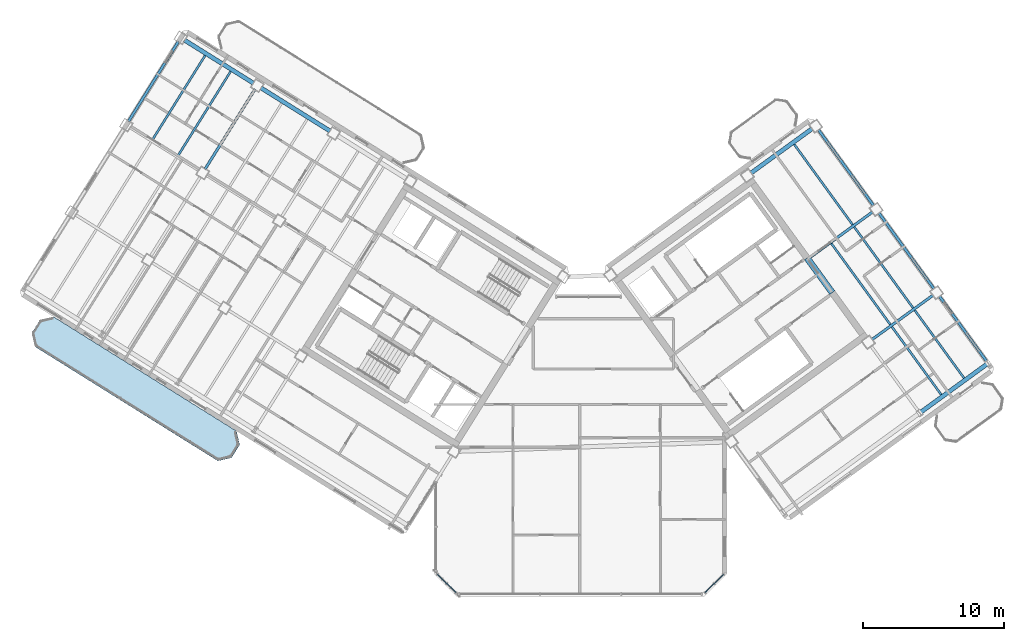
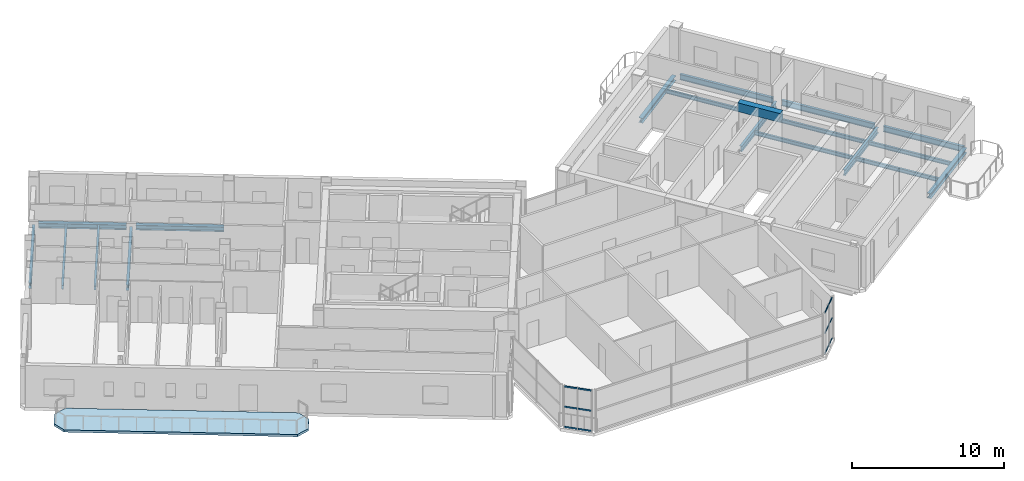
# One storey, part 13 of 25: 19 beams, 12 members, 1 slab, 2 elements without a shape of their own.
"""IFC4 building model written with IfcOpenShell, lengths in metres."""

from ifc_helpers import new_model, si_unit, direction, frame, origin, origin_2d, place, context, subcontext, project, spatial, polyline, rectangle, hollow_rectangle, i_section, outline, extrude, source, transform, mapped, material, layer, layer_set, material_profile, profile_set, type_object, element, aggregate, save


model = new_model("IFC4")

# Units and contexts
model_context = context("Model", 3, precision=1e-05, world=origin(), true_north=direction((0.0, 1.0)))
body_context = subcontext(model_context, "Body", "Model", "MODEL_VIEW")
ifc_project = project(units=[si_unit("LENGTHUNIT", "METRE"), si_unit("AREAUNIT", "SQUARE_METRE"), si_unit("VOLUMEUNIT", "CUBIC_METRE"), si_unit("PLANEANGLEUNIT", "RADIAN"), si_unit("MASSUNIT", "GRAM", prefix="KILO")], contexts=[model_context])

# Site, building, storey
site_placement = place(None, origin())
site = spatial("IfcSite", under=ifc_project, at=site_placement, CompositionType="ELEMENT")
building_placement = place(site_placement, origin())
building = spatial("IfcBuilding", under=site, at=building_placement, Name="Tlacorven Tower", CompositionType="ELEMENT")
storey_placement = place(building_placement, frame((0.0, 0.0, 259.199951171875)))
storey = spatial("IfcBuildingStorey", under=building, at=storey_placement, Name="L65", CompositionType="ELEMENT", Elevation=259.199951171875)

# Beams
ifc_material_1 = material(Name="Concrete C60/75", Category="concrete")
ifc_material_profile_1 = material_profile(ifc_material_1, rectangle(XDim=0.449951171875, YDim=0.699951171875, at=origin_2d()), Name="RC 450X700")
ifc_profile_set_1 = profile_set([ifc_material_profile_1], Name="Concrete C60/75")
beam_type_1 = type_object("IfcBeamType", Name="BM-LNT-700", PredefinedType="LINTEL", material=ifc_profile_set_1)
shared_shape_1 = source(origin(), body_context, "Body", "SweptSolid", [
    extrude(rectangle(XDim=0.449951171875, YDim=0.699951171875, at=origin_2d()), origin(), (0.0, 0.0, 1.0), 3.050048828125),
])
beam_1_placement = place(storey_placement, frame((59.856689453125, 23.345947265625, 3.0), z_axis=(-0.587776590479, 0.80902328748, 0.0), x_axis=(-0.80902328748, -0.587776590479, 0.0)))
element("IfcBeam", 1, at=beam_1_placement, inside=storey, type_object=beam_type_1, Name="L65 E core coupling lintel beam E2", PredefinedType="LINTEL", context=body_context, shape_type="MappedRepresentation", body=[
    mapped(shared_shape_1, transform((0.0, 0.0, 0.0), scale=1.0)),
])
ifc_material_2 = material(Name="Steel S355J2", Category="steel")
ifc_material_profile_2 = material_profile(ifc_material_2, i_section(OverallWidth=0.300048828125, OverallDepth=0.389892578125, WebThickness=0.010986328125, FlangeThickness=0.01904296875, at=origin_2d()), Name="HEA 400")
ifc_profile_set_2 = profile_set([ifc_material_profile_2], Name="Steel S355J2")
beam_type_2 = type_object("IfcBeamType", Name="BM-SPN-400", PredefinedType="SPANDREL", material=ifc_profile_set_2)
shared_shape_2 = source(origin(), body_context, "Body", "SweptSolid", [
    extrude(i_section(OverallWidth=0.300048828125, OverallDepth=0.389892578125, WebThickness=0.010986328125, FlangeThickness=0.01904296875, at=origin_2d()), origin(), (0.0, 0.0, 1.0), 5.800048828125),
])
for number, where, z_axis, x_axis, name in (
    (2, (24.24609375, 34.8017578125, -0.445068359375), (-0.848052689693, 0.529911912967, 0.0), (-0.529911912967, -0.848052689693, 0.0), "L65 beam BM-L65-WL1-4"),
    (3, (18.818603515625, 38.193359375, -0.445068359375), (-0.848052689693, 0.529911912967, 0.0), (-0.529911912967, -0.848052689693, 0.0), "L65 beam BM-L65-WL1-5"),
    (4, (66.138671875, 14.86962890625, -0.445068359375), (0.809019944521, 0.587781191743, 0.0), (-0.587781191743, 0.809019944521, 0.0), "L65 beam BM-L65-EL1-3"),
):
    element("IfcBeam", number, at=place(storey_placement, frame(where, z_axis=z_axis, x_axis=x_axis)), inside=storey, type_object=beam_type_2, Name=name, PredefinedType="SPANDREL", context=body_context, shape_type="MappedRepresentation", body=[
        mapped(shared_shape_2, transform((0.0, 0.0, 0.0), scale=1.0)),
    ])
ifc_material_profile_3 = material_profile(ifc_material_2, i_section(OverallWidth=0.14990234375, OverallDepth=0.300048828125, WebThickness=0.007080078125, FlangeThickness=0.0107421875, at=origin_2d()), Name="IPE 300")
ifc_profile_set_3 = profile_set([ifc_material_profile_3], Name="Steel S355J2")
beam_type_3 = type_object("IfcBeamType", Name="BM-JST-300", PredefinedType="JOIST", material=ifc_profile_set_3)
shared_shape_3 = source(origin(), body_context, "Body", "SweptSolid", [
    extrude(i_section(OverallWidth=0.14990234375, OverallDepth=0.300048828125, WebThickness=0.007080078125, FlangeThickness=0.0107421875, at=origin_2d()), origin(), (0.0, 0.0, 1.0), 7.10009765625),
])
for number, where, z_axis, x_axis, name in (
    (5, (63.972900390625, 21.083251953125, -0.39990234375), (-0.587783168305, 0.809018508476, 0.0), (-0.809018508476, -0.587783168305, 0.0), "L65 beam BM-L65-EJ3-2-1"),
    (6, (65.5908203125, 22.2587890625, -0.39990234375), (-0.587760662035, 0.809034859672, 0.0), (-0.809034859672, -0.587760662035, 0.0), "L65 beam BM-L65-EJ3-2-2"),
):
    element("IfcBeam", number, at=place(storey_placement, frame(where, z_axis=z_axis, x_axis=x_axis)), inside=storey, type_object=beam_type_3, Name=name, PredefinedType="JOIST", context=body_context, shape_type="MappedRepresentation", body=[
        mapped(shared_shape_3, transform((0.0, 0.0, 0.0), scale=1.0)),
    ])
shared_shape_4 = source(origin(), body_context, "Body", "SweptSolid", [
    extrude(i_section(OverallWidth=0.14990234375, OverallDepth=0.300048828125, WebThickness=0.007080078125, FlangeThickness=0.0107421875, at=origin_2d()), origin(), (0.0, 0.0, 1.0), 7.044921875),
])
for number, where, z_axis, x_axis, name in (
    (7, (17.181640625, 39.033447265625, -0.39990234375), (-0.529899256491, -0.848060598053, 0.0), (0.848060598053, -0.529899256491, 0.0), "L65 beam BM-L65-WJ5-1-1"),
    (8, (15.372314453125, 40.163818359375, -0.39990234375), (-0.52991483005, -0.848050866925, 0.0), (0.848050866925, -0.52991483005, 0.0), "L65 beam BM-L65-WJ5-1-2"),
    (9, (61.300048828125, 28.164794921875, -0.39990234375), (-0.587782183052, 0.8090192243, 0.0), (-0.8090192243, -0.587782183052, 0.0), "L65 beam BM-L65-EJ3-3-2"),
):
    element("IfcBeam", number, at=place(storey_placement, frame(where, z_axis=z_axis, x_axis=x_axis)), inside=storey, type_object=beam_type_3, Name=name, PredefinedType="JOIST", context=body_context, shape_type="MappedRepresentation", body=[
        mapped(shared_shape_4, transform((0.0, 0.0, 0.0), scale=1.0)),
    ])
shared_shape_5 = source(origin(), body_context, "Body", "SweptSolid", [
    extrude(i_section(OverallWidth=0.14990234375, OverallDepth=0.300048828125, WebThickness=0.007080078125, FlangeThickness=0.0107421875, at=origin_2d()), origin(), (0.0, 0.0, 1.0), 5.945068359375),
])
for number, where, z_axis, x_axis, name in (
    (10, (67.584716796875, 16.11181640625, -0.39990234375), (-0.587788268014, 0.809014803317, 0.0), (-0.809014803317, -0.587788268014, 0.0), "L65 beam BM-L65-EJ3-1-1"),
    (11, (69.202880859375, 17.287353515625, -0.39990234375), (-0.587768740048, 0.809028990965, 0.0), (-0.809028990965, -0.587768740048, 0.0), "L65 beam BM-L65-EJ3-1-2"),
):
    element("IfcBeam", number, at=place(storey_placement, frame(where, z_axis=z_axis, x_axis=x_axis)), inside=storey, type_object=beam_type_3, Name=name, PredefinedType="JOIST", context=body_context, shape_type="MappedRepresentation", body=[
        mapped(shared_shape_5, transform((0.0, 0.0, 0.0), scale=1.0)),
    ])
ifc_material_profile_4 = material_profile(ifc_material_2, i_section(OverallWidth=0.18994140625, OverallDepth=0.449951171875, WebThickness=0.009521484375, FlangeThickness=0.0146484375, at=origin_2d()), Name="IPE 450")
ifc_profile_set_4 = profile_set([ifc_material_profile_4], Name="Steel S355J2")
beam_type_4 = type_object("IfcBeamType", Name="BM-TWR-450", PredefinedType="BEAM", material=ifc_profile_set_4)
shared_shape_6 = source(origin(), body_context, "Body", "SweptSolid", [
    extrude(i_section(OverallWidth=0.18994140625, OverallDepth=0.449951171875, WebThickness=0.009521484375, FlangeThickness=0.0146484375, at=origin_2d()), origin(), (0.0, 0.0, 1.0), 5.800048828125),
])
beam_2_placement = place(storey_placement, frame((70.853271484375, 18.41845703125, -0.474853515625), z_axis=(-0.587781191743, 0.809019944521, 0.0), x_axis=(-0.809019944521, -0.587781191743, 0.0)))
element("IfcBeam", 12, at=beam_2_placement, inside=storey, type_object=beam_type_4, Name="L65 beam BM-L65-ET4-1", PredefinedType="BEAM", context=body_context, shape_type="MappedRepresentation", body=[
    mapped(shared_shape_6, transform((0.0, 0.0, 0.0), scale=1.0)),
])
shared_shape_7 = source(origin(), body_context, "Body", "SweptSolid", [
    extrude(i_section(OverallWidth=0.18994140625, OverallDepth=0.449951171875, WebThickness=0.009521484375, FlangeThickness=0.0146484375, at=origin_2d()), origin(), (0.0, 0.0, 1.0), 6.699951171875),
])
for number, where, z_axis, x_axis, name in (
    (13, (13.486328125, 41.17138671875, -0.474853515625), (-0.529903948186, -0.848057666493, 0.0), (0.848057666493, -0.529903948186, 0.0), "L65 beam BM-L65-WT6-1"),
    (14, (67.09130859375, 23.59619140625, -0.474853515625), (-0.587768623827, 0.809029075401, 0.0), (-0.809029075401, -0.587768623827, 0.0), "L65 beam BM-L65-ET4-2"),
    (15, (62.800537109375, 29.501953125, -0.474853515625), (-0.587792473715, 0.809011747655, 0.0), (-0.809011747655, -0.587792473715, 0.0), "L65 beam BM-L65-ET4-3"),
):
    element("IfcBeam", number, at=place(storey_placement, frame(where, z_axis=z_axis, x_axis=x_axis)), inside=storey, type_object=beam_type_4, Name=name, PredefinedType="BEAM", context=body_context, shape_type="MappedRepresentation", body=[
        mapped(shared_shape_7, transform((0.0, 0.0, 0.0), scale=1.0)),
    ])
shared_shape_8 = source(origin(), body_context, "Body", "SweptSolid", [
    extrude(i_section(OverallWidth=0.18994140625, OverallDepth=0.449951171875, WebThickness=0.009521484375, FlangeThickness=0.0146484375, at=origin_2d()), origin(), (0.0, 0.0, 1.0), 6.7001953125),
])
beam_3_placement = place(storey_placement, frame((18.9140625, 37.780029296875, -0.474853515625), z_axis=(-0.52991377951, -0.848051523367, 0.0), x_axis=(0.848051523367, -0.52991377951, 0.0)))
element("IfcBeam", 16, at=beam_3_placement, inside=storey, type_object=beam_type_4, Name="L65 beam BM-L65-WT5-1", PredefinedType="BEAM", context=body_context, shape_type="MappedRepresentation", body=[
    mapped(shared_shape_8, transform((0.0, 0.0, 0.0), scale=1.0)),
])
shared_shape_9 = source(origin(), body_context, "Body", "SweptSolid", [
    extrude(i_section(OverallWidth=0.18994140625, OverallDepth=0.449951171875, WebThickness=0.009521484375, FlangeThickness=0.0146484375, at=origin_2d()), origin(), (0.0, 0.0, 1.0), 5.39990234375),
])
beam_4_placement = place(storey_placement, frame((62.65625, 20.003173828125, -0.474853515625), z_axis=(0.80901166244, 0.587792591002, 0.0), x_axis=(-0.587792591002, 0.80901166244, 0.0)))
element("IfcBeam", 17, at=beam_4_placement, inside=storey, type_object=beam_type_4, Name="L65 beam BM-L65-EL2-3", PredefinedType="BEAM", context=body_context, shape_type="MappedRepresentation", body=[
    mapped(shared_shape_9, transform((0.0, 0.0, 0.0), scale=1.0)),
])
shared_shape_10 = source(origin(), body_context, "Body", "SweptSolid", [
    extrude(i_section(OverallWidth=0.18994140625, OverallDepth=0.449951171875, WebThickness=0.009521484375, FlangeThickness=0.0146484375, at=origin_2d()), origin(), (0.0, 0.0, 1.0), 5.66015625),
])
beam_5_placement = place(storey_placement, frame((58.155029296875, 25.756103515625, -0.474853515625), z_axis=(0.809017643667, 0.587784358618, 0.0), x_axis=(-0.587784358618, 0.809017643667, 0.0)))
element("IfcBeam", 18, at=beam_5_placement, inside=storey, type_object=beam_type_4, Name="L65 beam BM-L65-EL3-3", PredefinedType="BEAM", context=body_context, shape_type="MappedRepresentation", body=[
    mapped(shared_shape_10, transform((0.0, 0.0, 0.0), scale=1.0)),
])
shared_shape_11 = source(origin(), body_context, "Body", "SweptSolid", [
    extrude(i_section(OverallWidth=0.300048828125, OverallDepth=0.389892578125, WebThickness=0.010986328125, FlangeThickness=0.01904296875, at=origin_2d()), origin(), (0.0, 0.0, 1.0), 5.39990234375),
])
beam_6_placement = place(storey_placement, frame((54.07470703125, 31.814697265625, -0.445068359375), z_axis=(0.80901166244, 0.587792591002, 0.0), x_axis=(-0.587792591002, 0.80901166244, 0.0)))
element("IfcBeam", 19, at=beam_6_placement, inside=storey, type_object=beam_type_2, Name="L65 beam BM-L65-EL4-3", PredefinedType="SPANDREL", context=body_context, shape_type="MappedRepresentation", body=[
    mapped(shared_shape_11, transform((0.0, 0.0, 0.0), scale=1.0)),
])

# Curtain wall, members
ifc_material_3 = material(Name="Dark solar low-E double glazing in aluminium frame", Category="aluminium")
curtain_wall_type = type_object("IfcCurtainWallType", Name="CW-TWR-HIGH", PredefinedType="USERDEFINED", material=ifc_material_3)
curtain_wall_1_placement = place(storey_placement, origin())
curtain_wall_1 = element("IfcCurtainWall", 20, at=curtain_wall_1_placement, inside=storey, type_object=curtain_wall_type, Name="L65 CW-TWR-HIGH Curtain Wall 302", ObjectType="UNITISED CURTAIN WALL", PredefinedType="USERDEFINED")
ifc_material_4 = material(Name="Aluminium 6063-T6 anodised", Category="aluminium")
ifc_material_profile_5 = material_profile(ifc_material_4, hollow_rectangle(XDim=0.054931640625, YDim=0.1201171875, WallThickness=0.00341796875, at=origin_2d()), Name="ALU TRANSOM 55X120")
ifc_profile_set_5 = profile_set([ifc_material_profile_5], Name="Aluminium 6063-T6 anodised")
member_type = type_object("IfcMemberType", Name="CWT-03", PredefinedType="USERDEFINED", material=ifc_profile_set_5)
shared_shape_12 = source(origin(), body_context, "Body", "SweptSolid", [
    extrude(hollow_rectangle(XDim=0.054931640625, YDim=0.1201171875, WallThickness=0.00341796875, at=origin_2d()), origin(), (0.0, 0.0, 1.0), 0.899169921875),
])
member_1_placement = place(storey_placement, frame((52.13525390625, 3.361572265625, 0.06005859375), z_axis=(-0.707106781187, -0.707106781187, 0.0), x_axis=(0.707106781187, -0.707106781187, 0.0)))
member_1 = element("IfcMember", 21, at=member_1_placement, type_object=member_type, Name="CW-L65-302 Transom 1", ObjectType="TRANSOM", PredefinedType="USERDEFINED", context=body_context, shape_type="MappedRepresentation", body=[
    mapped(shared_shape_12, transform((0.0, 0.0, 0.0), scale=1.0)),
])
member_2_placement = place(storey_placement, frame((52.13525390625, 3.361572265625, 1.675048828125), z_axis=(-0.707106781187, -0.707106781187, 0.0), x_axis=(0.707106781187, -0.707106781187, 0.0)))
member_2 = element("IfcMember", 22, at=member_2_placement, type_object=member_type, Name="CW-L65-302 Transom 2", ObjectType="TRANSOM", PredefinedType="USERDEFINED", context=body_context, shape_type="MappedRepresentation", body=[
    mapped(shared_shape_12, transform((0.0, 0.0, 0.0), scale=1.0)),
])
member_3_placement = place(storey_placement, frame((52.13525390625, 3.361572265625, 3.2900390625), z_axis=(-0.707106781187, -0.707106781187, 0.0), x_axis=(0.707106781187, -0.707106781187, 0.0)))
member_3 = element("IfcMember", 23, at=member_3_placement, type_object=member_type, Name="CW-L65-302 Transom 3", ObjectType="TRANSOM", PredefinedType="USERDEFINED", context=body_context, shape_type="MappedRepresentation", body=[
    mapped(shared_shape_12, transform((0.0, 0.0, 0.0), scale=1.0)),
])
member_4_placement = place(storey_placement, frame((51.47412109375, 2.700439453125, 0.06005859375), z_axis=(-0.707106781187, -0.707106781187, 0.0), x_axis=(0.707106781187, -0.707106781187, 0.0)))
member_4 = element("IfcMember", 24, at=member_4_placement, type_object=member_type, Name="CW-L65-302 Transom 4", ObjectType="TRANSOM", PredefinedType="USERDEFINED", context=body_context, shape_type="MappedRepresentation", body=[
    mapped(shared_shape_12, transform((0.0, 0.0, 0.0), scale=1.0)),
])
member_5_placement = place(storey_placement, frame((51.47412109375, 2.700439453125, 1.675048828125), z_axis=(-0.707106781187, -0.707106781187, 0.0), x_axis=(0.707106781187, -0.707106781187, 0.0)))
member_5 = element("IfcMember", 25, at=member_5_placement, type_object=member_type, Name="CW-L65-302 Transom 5", ObjectType="TRANSOM", PredefinedType="USERDEFINED", context=body_context, shape_type="MappedRepresentation", body=[
    mapped(shared_shape_12, transform((0.0, 0.0, 0.0), scale=1.0)),
])
member_6_placement = place(storey_placement, frame((51.47412109375, 2.700439453125, 3.2900390625), z_axis=(-0.707106781187, -0.707106781187, 0.0), x_axis=(0.707106781187, -0.707106781187, 0.0)))
member_6 = element("IfcMember", 26, at=member_6_placement, type_object=member_type, Name="CW-L65-302 Transom 6", ObjectType="TRANSOM", PredefinedType="USERDEFINED", context=body_context, shape_type="MappedRepresentation", body=[
    mapped(shared_shape_12, transform((0.0, 0.0, 0.0), scale=1.0)),
])
aggregate(curtain_wall_1, [member_1, member_2, member_3, member_4, member_5, member_6])

curtain_wall_2_placement = place(storey_placement, origin())
curtain_wall_2 = element("IfcCurtainWall", 27, at=curtain_wall_2_placement, inside=storey, type_object=curtain_wall_type, Name="L65 CW-TWR-HIGH Curtain Wall 304", ObjectType="UNITISED CURTAIN WALL", PredefinedType="USERDEFINED")
member_7_placement = place(storey_placement, frame((33.16162109375, 2.064697265625, 0.06005859375), z_axis=(-0.707106781187, 0.707106781187, 0.0), x_axis=(-0.707106781187, -0.707106781187, 0.0)))
member_7 = element("IfcMember", 28, at=member_7_placement, type_object=member_type, Name="CW-L65-304 Transom 1", ObjectType="TRANSOM", PredefinedType="USERDEFINED", context=body_context, shape_type="MappedRepresentation", body=[
    mapped(shared_shape_12, transform((0.0, 0.0, 0.0), scale=1.0)),
])
member_8_placement = place(storey_placement, frame((33.16162109375, 2.064697265625, 1.675048828125), z_axis=(-0.707106781187, 0.707106781187, 0.0), x_axis=(-0.707106781187, -0.707106781187, 0.0)))
member_8 = element("IfcMember", 29, at=member_8_placement, type_object=member_type, Name="CW-L65-304 Transom 2", ObjectType="TRANSOM", PredefinedType="USERDEFINED", context=body_context, shape_type="MappedRepresentation", body=[
    mapped(shared_shape_12, transform((0.0, 0.0, 0.0), scale=1.0)),
])
member_9_placement = place(storey_placement, frame((33.16162109375, 2.064697265625, 3.2900390625), z_axis=(-0.707106781187, 0.707106781187, 0.0), x_axis=(-0.707106781187, -0.707106781187, 0.0)))
member_9 = element("IfcMember", 30, at=member_9_placement, type_object=member_type, Name="CW-L65-304 Transom 3", ObjectType="TRANSOM", PredefinedType="USERDEFINED", context=body_context, shape_type="MappedRepresentation", body=[
    mapped(shared_shape_12, transform((0.0, 0.0, 0.0), scale=1.0)),
])
member_10_placement = place(storey_placement, frame((32.50048828125, 2.725830078125, 0.06005859375), z_axis=(-0.707106781187, 0.707106781187, 0.0), x_axis=(-0.707106781187, -0.707106781187, 0.0)))
member_10 = element("IfcMember", 31, at=member_10_placement, type_object=member_type, Name="CW-L65-304 Transom 4", ObjectType="TRANSOM", PredefinedType="USERDEFINED", context=body_context, shape_type="MappedRepresentation", body=[
    mapped(shared_shape_12, transform((0.0, 0.0, 0.0), scale=1.0)),
])
member_11_placement = place(storey_placement, frame((32.50048828125, 2.725830078125, 1.675048828125), z_axis=(-0.707106781187, 0.707106781187, 0.0), x_axis=(-0.707106781187, -0.707106781187, 0.0)))
member_11 = element("IfcMember", 32, at=member_11_placement, type_object=member_type, Name="CW-L65-304 Transom 5", ObjectType="TRANSOM", PredefinedType="USERDEFINED", context=body_context, shape_type="MappedRepresentation", body=[
    mapped(shared_shape_12, transform((0.0, 0.0, 0.0), scale=1.0)),
])
member_12_placement = place(storey_placement, frame((32.50048828125, 2.725830078125, 3.2900390625), z_axis=(-0.707106781187, 0.707106781187, 0.0), x_axis=(-0.707106781187, -0.707106781187, 0.0)))
member_12 = element("IfcMember", 33, at=member_12_placement, type_object=member_type, Name="CW-L65-304 Transom 6", ObjectType="TRANSOM", PredefinedType="USERDEFINED", context=body_context, shape_type="MappedRepresentation", body=[
    mapped(shared_shape_12, transform((0.0, 0.0, 0.0), scale=1.0)),
])
aggregate(curtain_wall_2, [member_7, member_8, member_9, member_10, member_11, member_12])

# Slab
ifc_material_5 = material(Name="Precast concrete C45/55", Category="concrete")
ifc_layer = layer(ifc_material_5, 0.179931640625)
ifc_layer_set = layer_set([ifc_layer], Name="Precast concrete C45/55")
slab_type = type_object("IfcSlabType", Name="SL-BAL-180", PredefinedType="USERDEFINED", material=ifc_layer_set)
slab_placement = place(storey_placement, frame((0.0, 0.0, -0.179931640625)))
element("IfcSlab", 34, at=slab_placement, inside=storey, type_object=slab_type, Name="L65 West Wing Balcony Ribbon OUT", ObjectType="BALCONY SLAB", PredefinedType="USERDEFINED", context=body_context, shape_type="SweptSolid", body=[
    extrude(outline(polyline([(17.601318359375, 13.52490234375), (4.626220703125, 21.632568359375), (3.66162109375, 21.409912109375), (3.081298828125, 20.4814453125), (3.303955078125, 19.516845703125), (16.279052734375, 11.408935546875), (17.24365234375, 11.6318359375), (17.823974609375, 12.560302734375), (17.601318359375, 13.52490234375)])), origin(), (0.0, 0.0, 1.0), 0.179931640625),
])

save(model, "model.ifc")
